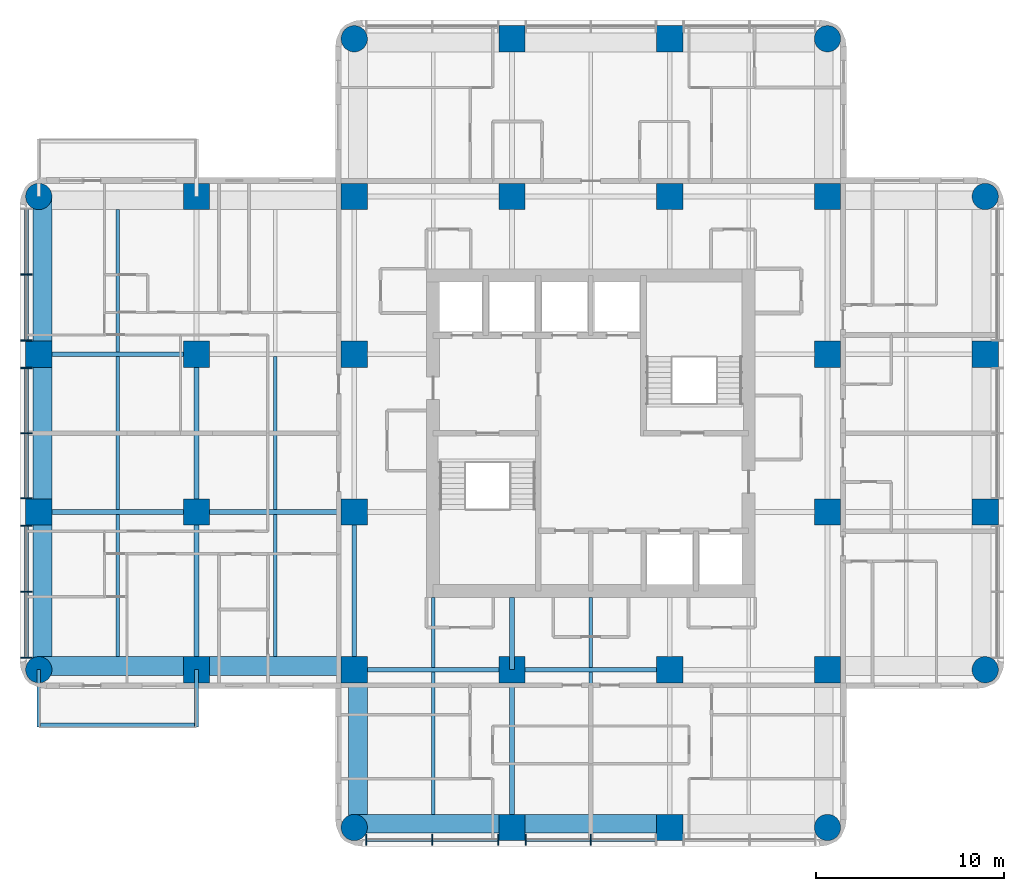
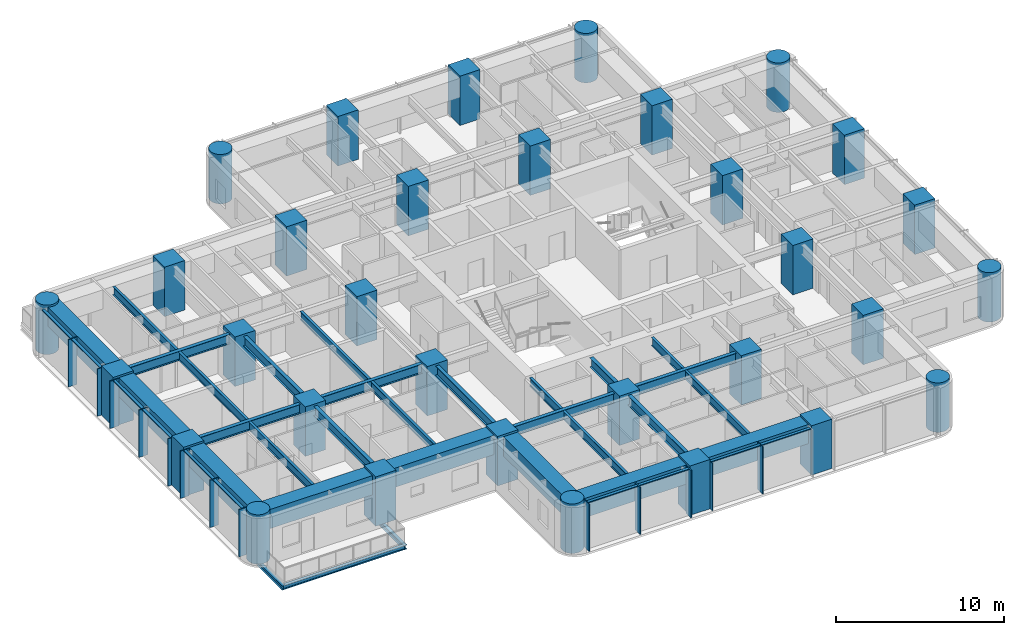
# One storey, part 1 of 11: 32 columns, 30 beams, 23 members, 2 elements without a shape of their own.
"""IFC4 building model written with IfcOpenShell, lengths in metres."""

from ifc_helpers import new_model, si_unit, direction, frame, origin, origin_2d, place, context, subcontext, project, spatial, rectangle, circle, i_section, extrude, material, material_profile, profile_set, type_object, element, aggregate, save


model = new_model("IFC4")

# Units and contexts
model_context = context("Model", 3, precision=1e-05, world=origin(), true_north=direction((0.0, 1.0)))
body_context = subcontext(model_context, "Body", "Model", "MODEL_VIEW")
ifc_project = project(units=[si_unit("LENGTHUNIT", "METRE"), si_unit("AREAUNIT", "SQUARE_METRE"), si_unit("VOLUMEUNIT", "CUBIC_METRE"), si_unit("PLANEANGLEUNIT", "RADIAN"), si_unit("MASSUNIT", "GRAM", prefix="KILO")], contexts=[model_context])

# Site, building, storey
site_placement = place(None, origin())
site = spatial("IfcSite", under=ifc_project, at=site_placement, CompositionType="ELEMENT")
building_placement = place(site_placement, origin())
building = spatial("IfcBuilding", under=site, at=building_placement, Name="Torre Alcanfor", CompositionType="ELEMENT")
storey_placement = place(building_placement, frame((0.0, 0.0, 230.10009765625)))
storey = spatial("IfcBuildingStorey", under=building, at=storey_placement, Name="L60", CompositionType="ELEMENT", Elevation=230.10009765625)

# Columns
ifc_material_1 = material(Name="Concrete f'c 70 MPa", Category="concrete")
ifc_material_profile_1 = material_profile(ifc_material_1, rectangle(XDim=1.39990234375, YDim=1.39990234375, at=origin_2d()), Name="1400x1400")
ifc_profile_set_1 = profile_set([ifc_material_profile_1], Name="Concrete f'c 70 MPa")
column_type_1 = type_object("IfcColumnType", Name="RC column 1400x1400 f'c70", PredefinedType="COLUMN", material=ifc_profile_set_1)
for number, where, z_axis, x_axis, name in (
    (1, (0.0, 25.199951171875, 0.0), (0.0, 0.0, 1.0), (1.0, 0.0, 0.0), "Column 1/F L60"),
    (2, (0.0, 33.60009765625, 0.0), (0.0, 0.0, 1.0), (1.0, 0.0, 0.0), "Column 1/G L60"),
    (3, (8.39990234375, 16.800048828125, 0.0), (0.0, 0.0, 1.0), (1.0, 0.0, 0.0), "Column 2/E L60"),
    (4, (8.39990234375, 25.199951171875, 0.0), (0.0, 0.0, 1.0), (1.0, 0.0, 0.0), "Column 2/F L60"),
    (5, (8.39990234375, 33.60009765625, 0.0), (0.0, 0.0, 1.0), (1.0, 0.0, 0.0), "Column 2/G L60"),
    (6, (8.39990234375, 42.0, 0.0), (0.0, 0.0, 1.0), (1.0, 0.0, 0.0), "Column 2/H L60"),
    (7, (16.800048828125, 16.800048828125, 0.0), (0.0, 0.0, 1.0), (1.0, 0.0, 0.0), "Column 3/E L60"),
    (8, (16.800048828125, 25.199951171875, 0.0), (0.0, 0.0, 1.0), (1.0, 0.0, 0.0), "Column 3/F L60"),
    (9, (16.800048828125, 33.60009765625, 0.0), (0.0, 0.0, 1.0), (1.0, 0.0, 0.0), "Column 3/G L60"),
    (10, (16.800048828125, 42.0, 0.0), (0.0, 0.0, 1.0), (1.0, 0.0, 0.0), "Column 3/H L60"),
    (11, (25.199951171875, 8.39990234375, 0.0), (0.0, 0.0, 1.0), (1.0, 0.0, 0.0), "Column 4/D L60"),
    (12, (25.199951171875, 16.800048828125, 0.0), (0.0, 0.0, 1.0), (1.0, 0.0, 0.0), "Column 4/E L60"),
    (13, (25.199951171875, 42.0, 0.0), (0.0, 0.0, 1.0), (1.0, 0.0, 0.0), "Column 4/H L60"),
    (14, (25.199951171875, 50.39990234375, 0.0), (0.0, 0.0, 1.0), (1.0, 0.0, 0.0), "Column 4/J L60"),
    (15, (33.60009765625, 8.39990234375, 0.0), (0.0, 0.0, 1.0), (1.0, 0.0, 0.0), "Column 5/D L60"),
    (16, (33.60009765625, 16.800048828125, 0.0), (0.0, 0.0, 1.0), (1.0, 0.0, 0.0), "Column 5/E L60"),
    (17, (33.60009765625, 42.0, 0.0), (0.0, 0.0, 1.0), (1.0, 0.0, 0.0), "Column 5/H L60"),
    (18, (33.60009765625, 50.39990234375, 0.0), (0.0, 0.0, 1.0), (1.0, 0.0, 0.0), "Column 5/J L60"),
    (19, (42.0, 16.800048828125, 0.0), (0.0, 0.0, 1.0), (1.0, 0.0, 0.0), "Column 6/E L60"),
    (20, (42.0, 25.199951171875, 0.0), (0.0, 0.0, 1.0), (1.0, 0.0, 0.0), "Column 6/F L60"),
    (21, (42.0, 33.60009765625, 0.0), (0.0, 0.0, 1.0), (1.0, 0.0, 0.0), "Column 6/G L60"),
    (22, (42.0, 42.0, 0.0), (0.0, 0.0, 1.0), (1.0, 0.0, 0.0), "Column 6/H L60"),
    (23, (50.39990234375, 25.199951171875, 0.0), (0.0, 0.0, 1.0), (1.0, 0.0, 0.0), "Column 7/F L60"),
    (24, (50.39990234375, 33.60009765625, 0.0), (0.0, 0.0, 1.0), (1.0, 0.0, 0.0), "Column 7/G L60"),
):
    element("IfcColumn", number, at=place(storey_placement, frame(where, z_axis=z_axis, x_axis=x_axis)), inside=storey, type_object=column_type_1, Name=name, PredefinedType="COLUMN", context=body_context, shape_type="SweptSolid", body=[
        extrude(rectangle(XDim=1.39990234375, YDim=1.39990234375, at=origin_2d()), origin(), (0.0, 0.0, 1.0), 3.599853515625),
    ])
ifc_material_2 = material(Name="Concrete f'c 70 MPa", Category="concrete")
ifc_material_profile_2 = material_profile(ifc_material_2, circle(Radius=0.699951171875, at=origin_2d()), Name="D1400")
ifc_profile_set_2 = profile_set([ifc_material_profile_2], Name="Concrete f'c 70 MPa")
column_type_2 = type_object("IfcColumnType", Name="RC column D1400 f'c70", PredefinedType="COLUMN", material=ifc_profile_set_2)
for number, where, z_axis, x_axis, name in (
    (25, (0.0, 16.800048828125, 0.0), (0.0, 0.0, 1.0), (1.0, 0.0, 0.0), "Column 1/E L60"),
    (26, (0.0, 42.0, 0.0), (0.0, 0.0, 1.0), (1.0, 0.0, 0.0), "Column 1/H L60"),
    (27, (16.800048828125, 8.39990234375, 0.0), (0.0, 0.0, 1.0), (1.0, 0.0, 0.0), "Column 3/D L60"),
    (28, (16.800048828125, 50.39990234375, 0.0), (0.0, 0.0, 1.0), (1.0, 0.0, 0.0), "Column 3/J L60"),
    (29, (42.0, 8.39990234375, 0.0), (0.0, 0.0, 1.0), (1.0, 0.0, 0.0), "Column 6/D L60"),
    (30, (42.0, 50.39990234375, 0.0), (0.0, 0.0, 1.0), (1.0, 0.0, 0.0), "Column 6/J L60"),
    (31, (50.39990234375, 16.800048828125, 0.0), (0.0, 0.0, 1.0), (1.0, 0.0, 0.0), "Column 7/E L60"),
    (32, (50.39990234375, 42.0, 0.0), (0.0, 0.0, 1.0), (1.0, 0.0, 0.0), "Column 7/H L60"),
):
    element("IfcColumn", number, at=place(storey_placement, frame(where, z_axis=z_axis, x_axis=x_axis)), inside=storey, type_object=column_type_2, Name=name, PredefinedType="COLUMN", context=body_context, shape_type="SweptSolid", body=[
        extrude(circle(Radius=0.699951171875, at=origin_2d()), origin(), (0.0, 0.0, 1.0), 3.599853515625),
    ])

# Beams
ifc_material_3 = material(Name="Steel ASTM A992 Grade 50", Category="steel")
ifc_material_profile_3 = material_profile(ifc_material_3, i_section(OverallWidth=0.205322265625, OverallDepth=0.309814453125, WebThickness=0.00927734375, FlangeThickness=0.016357421875, at=origin_2d()), Name="W12x50")
ifc_profile_set_3 = profile_set([ifc_material_profile_3], Name="Steel ASTM A992 Grade 50")
beam_type_1 = type_object("IfcBeamType", Name="Balcony cantilever beam W12x50", PredefinedType="BEAM", material=ifc_profile_set_3)
for number, where, z_axis, x_axis, name in (
    (33, (8.39990234375, 16.800048828125, -0.35498046875), (0.0, -1.0, 0.0), (1.0, 0.0, 0.0), "Balcony cantilever beam L60-W1 1"),
    (34, (0.0, 16.800048828125, -0.35498046875), (0.0, -1.0, 0.0), (1.0, 0.0, 0.0), "Balcony cantilever beam L60-W1 2"),
):
    element("IfcBeam", number, at=place(storey_placement, frame(where, z_axis=z_axis, x_axis=x_axis)), inside=storey, type_object=beam_type_1, Name=name, PredefinedType="BEAM", context=body_context, shape_type="SweptSolid", body=[
        extrude(i_section(OverallWidth=0.205322265625, OverallDepth=0.309814453125, WebThickness=0.00927734375, FlangeThickness=0.016357421875, at=origin_2d()), origin(), (0.0, 0.0, 1.0), 3.050048828125),
    ])
ifc_material_4 = material(Name="Steel ASTM A992 Grade 50", Category="steel")
ifc_material_profile_4 = material_profile(ifc_material_4, i_section(OverallWidth=0.203369140625, OverallDepth=0.30224609375, WebThickness=0.007568359375, FlangeThickness=0.01318359375, at=origin_2d()), Name="W12x40")
ifc_profile_set_4 = profile_set([ifc_material_profile_4], Name="Steel ASTM A992 Grade 50")
beam_type_2 = type_object("IfcBeamType", Name="Balcony edge trimmer W12x40", PredefinedType="BEAM", material=ifc_profile_set_4)
beam_1_placement = place(storey_placement, frame((8.39990234375, 13.851806640625, -0.351318359375), z_axis=(-1.0, 0.0, 0.0), x_axis=(0.0, -1.0, 0.0)))
element("IfcBeam", 35, at=beam_1_placement, inside=storey, type_object=beam_type_2, Name="Balcony edge trimmer L60-W1", PredefinedType="BEAM", context=body_context, shape_type="SweptSolid", body=[
    extrude(i_section(OverallWidth=0.203369140625, OverallDepth=0.30224609375, WebThickness=0.007568359375, FlangeThickness=0.01318359375, at=origin_2d()), origin(), (0.0, 0.0, 1.0), 8.39990234375),
])

# Curtain wall, members
ifc_material_5 = material(Name="Aluminium and glass", Category="aluminium")
curtain_wall_type = type_object("IfcCurtainWallType", Name="CW-A unitised apartment glazing with vertical FIN", PredefinedType="NOTDEFINED", material=ifc_material_5)
curtain_wall_1_placement = place(storey_placement, origin())
curtain_wall_1 = element("IfcCurtainWall", 36, at=curtain_wall_1_placement, inside=storey, type_object=curtain_wall_type, Name="Curtain wall CW-A L60 2", PredefinedType="NOTDEFINED")
ifc_material_6 = material(Name="Bronze anodised aluminium", Category="aluminium")
ifc_material_profile_5 = material_profile(ifc_material_6, rectangle(XDim=0.60009765625, YDim=0.06494140625, at=origin_2d()), Name="CW-A mullion 65x600")
ifc_profile_set_5 = profile_set([ifc_material_profile_5], Name="Bronze anodised aluminium")
member_type_1 = type_object("IfcMemberType", Name="CW-A mullion with vertical FIN 65x600", PredefinedType="MULLION", material=ifc_profile_set_5)
member_1_placement = place(storey_placement, frame((-0.64990234375, 37.846435546875, 0.0), z_axis=(0.0, 0.0, 1.0), x_axis=(1.0, 0.0, 0.0)))
member_1 = element("IfcMember", 37, at=member_1_placement, type_object=member_type_1, Name="CW-A mullion 1.2", PredefinedType="MULLION", context=body_context, shape_type="SweptSolid", body=[
    extrude(rectangle(XDim=0.60009765625, YDim=0.06494140625, at=origin_2d()), origin(), (0.0, 0.0, 1.0), 3.449951171875),
])
member_2_placement = place(storey_placement, frame((-0.64990234375, 34.33740234375, 0.0), z_axis=(0.0, 0.0, 1.0), x_axis=(1.0, 0.0, 0.0)))
member_2 = element("IfcMember", 38, at=member_2_placement, type_object=member_type_1, Name="CW-A mullion 1.3", PredefinedType="MULLION", context=body_context, shape_type="SweptSolid", body=[
    extrude(rectangle(XDim=0.60009765625, YDim=0.06494140625, at=origin_2d()), origin(), (0.0, 0.0, 1.0), 3.449951171875),
])
member_3_placement = place(storey_placement, frame((-0.64990234375, 32.862548828125, 0.0), z_axis=(0.0, 0.0, 1.0), x_axis=(1.0, 0.0, 0.0)))
member_3 = element("IfcMember", 39, at=member_3_placement, type_object=member_type_1, Name="CW-A mullion 2.1", PredefinedType="MULLION", context=body_context, shape_type="SweptSolid", body=[
    extrude(rectangle(XDim=0.60009765625, YDim=0.06494140625, at=origin_2d()), origin(), (0.0, 0.0, 1.0), 3.449951171875),
])
member_4_placement = place(storey_placement, frame((-0.64990234375, 29.39990234375, 0.0), z_axis=(0.0, 0.0, 1.0), x_axis=(1.0, 0.0, 0.0)))
member_4 = element("IfcMember", 40, at=member_4_placement, type_object=member_type_1, Name="CW-A mullion 2.2", PredefinedType="MULLION", context=body_context, shape_type="SweptSolid", body=[
    extrude(rectangle(XDim=0.60009765625, YDim=0.06494140625, at=origin_2d()), origin(), (0.0, 0.0, 1.0), 3.449951171875),
])
member_5_placement = place(storey_placement, frame((-0.64990234375, 25.9375, 0.0), z_axis=(0.0, 0.0, 1.0), x_axis=(1.0, 0.0, 0.0)))
member_5 = element("IfcMember", 41, at=member_5_placement, type_object=member_type_1, Name="CW-A mullion 2.3", PredefinedType="MULLION", context=body_context, shape_type="SweptSolid", body=[
    extrude(rectangle(XDim=0.60009765625, YDim=0.06494140625, at=origin_2d()), origin(), (0.0, 0.0, 1.0), 3.449951171875),
])
member_6_placement = place(storey_placement, frame((-0.64990234375, 24.46240234375, 0.0), z_axis=(0.0, 0.0, 1.0), x_axis=(1.0, 0.0, 0.0)))
member_6 = element("IfcMember", 42, at=member_6_placement, type_object=member_type_1, Name="CW-A mullion 3.1", PredefinedType="MULLION", context=body_context, shape_type="SweptSolid", body=[
    extrude(rectangle(XDim=0.60009765625, YDim=0.06494140625, at=origin_2d()), origin(), (0.0, 0.0, 1.0), 3.449951171875),
])
member_7_placement = place(storey_placement, frame((-0.64990234375, 20.95361328125, 0.0), z_axis=(0.0, 0.0, 1.0), x_axis=(1.0, 0.0, 0.0)))
member_7 = element("IfcMember", 43, at=member_7_placement, type_object=member_type_1, Name="CW-A mullion 3.2", PredefinedType="MULLION", context=body_context, shape_type="SweptSolid", body=[
    extrude(rectangle(XDim=0.60009765625, YDim=0.06494140625, at=origin_2d()), origin(), (0.0, 0.0, 1.0), 3.449951171875),
])
member_8_placement = place(storey_placement, frame((-0.64990234375, 17.444580078125, 0.0), z_axis=(0.0, 0.0, 1.0), x_axis=(1.0, 0.0, 0.0)))
member_8 = element("IfcMember", 44, at=member_8_placement, type_object=member_type_1, Name="CW-A mullion 3.3", PredefinedType="MULLION", context=body_context, shape_type="SweptSolid", body=[
    extrude(rectangle(XDim=0.60009765625, YDim=0.06494140625, at=origin_2d()), origin(), (0.0, 0.0, 1.0), 3.449951171875),
])

curtain_wall_2_placement = place(storey_placement, origin())
curtain_wall_2 = element("IfcCurtainWall", 45, at=curtain_wall_2_placement, inside=storey, type_object=curtain_wall_type, Name="Curtain wall CW-A L60 5", PredefinedType="NOTDEFINED")
member_9_placement = place(storey_placement, frame((17.444580078125, 7.75, 0.0), z_axis=(0.0, 0.0, 1.0), x_axis=(0.0, 1.0, 0.0)))
member_9 = element("IfcMember", 46, at=member_9_placement, type_object=member_type_1, Name="CW-A mullion 1.1", PredefinedType="MULLION", context=body_context, shape_type="SweptSolid", body=[
    extrude(rectangle(XDim=0.60009765625, YDim=0.06494140625, at=origin_2d()), origin(), (0.0, 0.0, 1.0), 3.449951171875),
])
member_10_placement = place(storey_placement, frame((20.95361328125, 7.75, 0.0), z_axis=(0.0, 0.0, 1.0), x_axis=(0.0, 1.0, 0.0)))
member_10 = element("IfcMember", 47, at=member_10_placement, type_object=member_type_1, Name="CW-A mullion 1.2", PredefinedType="MULLION", context=body_context, shape_type="SweptSolid", body=[
    extrude(rectangle(XDim=0.60009765625, YDim=0.06494140625, at=origin_2d()), origin(), (0.0, 0.0, 1.0), 3.449951171875),
])
member_11_placement = place(storey_placement, frame((24.46240234375, 7.75, 0.0), z_axis=(0.0, 0.0, 1.0), x_axis=(0.0, 1.0, 0.0)))
member_11 = element("IfcMember", 48, at=member_11_placement, type_object=member_type_1, Name="CW-A mullion 1.3", PredefinedType="MULLION", context=body_context, shape_type="SweptSolid", body=[
    extrude(rectangle(XDim=0.60009765625, YDim=0.06494140625, at=origin_2d()), origin(), (0.0, 0.0, 1.0), 3.449951171875),
])
member_12_placement = place(storey_placement, frame((25.9375, 7.75, 0.0), z_axis=(0.0, 0.0, 1.0), x_axis=(0.0, 1.0, 0.0)))
member_12 = element("IfcMember", 49, at=member_12_placement, type_object=member_type_1, Name="CW-A mullion 2.1", PredefinedType="MULLION", context=body_context, shape_type="SweptSolid", body=[
    extrude(rectangle(XDim=0.60009765625, YDim=0.06494140625, at=origin_2d()), origin(), (0.0, 0.0, 1.0), 3.449951171875),
])
member_13_placement = place(storey_placement, frame((29.39990234375, 7.75, 0.0), z_axis=(0.0, 0.0, 1.0), x_axis=(0.0, 1.0, 0.0)))
member_13 = element("IfcMember", 50, at=member_13_placement, type_object=member_type_1, Name="CW-A mullion 2.2", PredefinedType="MULLION", context=body_context, shape_type="SweptSolid", body=[
    extrude(rectangle(XDim=0.60009765625, YDim=0.06494140625, at=origin_2d()), origin(), (0.0, 0.0, 1.0), 3.449951171875),
])

# Member
ifc_material_7 = material(Name="Extruded aluminium", Category="aluminium")
ifc_material_profile_6 = material_profile(ifc_material_7, rectangle(XDim=0.199951171875, YDim=0.06494140625, at=origin_2d()), Name="CW-A transom 200x65")
ifc_profile_set_6 = profile_set([ifc_material_profile_6], Name="Extruded aluminium")
member_type_2 = type_object("IfcMemberType", Name="CW-A transom 65x200", PredefinedType="USERDEFINED", material=ifc_profile_set_6)
member_14_placement = place(storey_placement, frame((-0.64990234375, 41.322998046875, 3.41748046875), z_axis=(0.0, -1.0, 0.0), x_axis=(1.0, 0.0, 0.0)))
member_14 = element("IfcMember", 51, at=member_14_placement, type_object=member_type_2, Name="CW-A transom 1.1.2", ObjectType="TRANSOM", PredefinedType="USERDEFINED", context=body_context, shape_type="SweptSolid", body=[
    extrude(rectangle(XDim=0.199951171875, YDim=0.06494140625, at=origin_2d()), origin(), (0.0, 0.0, 1.0), 3.444091796875),
])

member_15_placement = place(storey_placement, frame((-0.64990234375, 37.81396484375, 3.41748046875), z_axis=(0.0, -1.0, 0.0), x_axis=(1.0, 0.0, 0.0)))
member_15 = element("IfcMember", 52, at=member_15_placement, type_object=member_type_2, Name="CW-A transom 1.2.2", ObjectType="TRANSOM", PredefinedType="USERDEFINED", context=body_context, shape_type="SweptSolid", body=[
    extrude(rectangle(XDim=0.199951171875, YDim=0.06494140625, at=origin_2d()), origin(), (0.0, 0.0, 1.0), 3.44384765625),
])

member_16_placement = place(storey_placement, frame((-0.64990234375, 32.830078125, 3.41748046875), z_axis=(0.0, -1.0, 0.0), x_axis=(1.0, 0.0, 0.0)))
member_16 = element("IfcMember", 53, at=member_16_placement, type_object=member_type_2, Name="CW-A transom 2.1.2", ObjectType="TRANSOM", PredefinedType="USERDEFINED", context=body_context, shape_type="SweptSolid", body=[
    extrude(rectangle(XDim=0.199951171875, YDim=0.06494140625, at=origin_2d()), origin(), (0.0, 0.0, 1.0), 3.3974609375),
])

member_17_placement = place(storey_placement, frame((-0.64990234375, 29.367431640625, 3.41748046875), z_axis=(0.0, -1.0, 0.0), x_axis=(1.0, 0.0, 0.0)))
member_17 = element("IfcMember", 54, at=member_17_placement, type_object=member_type_2, Name="CW-A transom 2.2.2", ObjectType="TRANSOM", PredefinedType="USERDEFINED", context=body_context, shape_type="SweptSolid", body=[
    extrude(rectangle(XDim=0.199951171875, YDim=0.06494140625, at=origin_2d()), origin(), (0.0, 0.0, 1.0), 3.3974609375),
])

member_18_placement = place(storey_placement, frame((-0.64990234375, 24.429931640625, 3.41748046875), z_axis=(0.0, -1.0, 0.0), x_axis=(1.0, 0.0, 0.0)))
member_18 = element("IfcMember", 55, at=member_18_placement, type_object=member_type_2, Name="CW-A transom 3.1.2", ObjectType="TRANSOM", PredefinedType="USERDEFINED", context=body_context, shape_type="SweptSolid", body=[
    extrude(rectangle(XDim=0.199951171875, YDim=0.06494140625, at=origin_2d()), origin(), (0.0, 0.0, 1.0), 3.44384765625),
])

member_19_placement = place(storey_placement, frame((-0.64990234375, 20.9208984375, 3.41748046875), z_axis=(0.0, -1.0, 0.0), x_axis=(1.0, 0.0, 0.0)))
member_19 = element("IfcMember", 56, at=member_19_placement, type_object=member_type_2, Name="CW-A transom 3.2.2", ObjectType="TRANSOM", PredefinedType="USERDEFINED", context=body_context, shape_type="SweptSolid", body=[
    extrude(rectangle(XDim=0.199951171875, YDim=0.06494140625, at=origin_2d()), origin(), (0.0, 0.0, 1.0), 3.44384765625),
])

aggregate(curtain_wall_1, [member_1, member_2, member_14, member_15, member_3, member_4, member_5, member_16, member_17, member_6, member_7, member_8, member_18, member_19])

member_20_placement = place(storey_placement, frame((17.47705078125, 7.75, 3.41748046875), z_axis=(1.0, 0.0, 0.0), x_axis=(0.0, 1.0, 0.0)))
member_20 = element("IfcMember", 57, at=member_20_placement, type_object=member_type_2, Name="CW-A transom 1.1.2", ObjectType="TRANSOM", PredefinedType="USERDEFINED", context=body_context, shape_type="SweptSolid", body=[
    extrude(rectangle(XDim=0.199951171875, YDim=0.06494140625, at=origin_2d()), origin(), (0.0, 0.0, 1.0), 3.44384765625),
])

member_21_placement = place(storey_placement, frame((20.986083984375, 7.75, 3.41748046875), z_axis=(1.0, 0.0, 0.0), x_axis=(0.0, 1.0, 0.0)))
member_21 = element("IfcMember", 58, at=member_21_placement, type_object=member_type_2, Name="CW-A transom 1.2.2", ObjectType="TRANSOM", PredefinedType="USERDEFINED", context=body_context, shape_type="SweptSolid", body=[
    extrude(rectangle(XDim=0.199951171875, YDim=0.06494140625, at=origin_2d()), origin(), (0.0, 0.0, 1.0), 3.44384765625),
])

member_22_placement = place(storey_placement, frame((25.969970703125, 7.75, 3.41748046875), z_axis=(1.0, 0.0, 0.0), x_axis=(0.0, 1.0, 0.0)))
member_22 = element("IfcMember", 59, at=member_22_placement, type_object=member_type_2, Name="CW-A transom 2.1.2", ObjectType="TRANSOM", PredefinedType="USERDEFINED", context=body_context, shape_type="SweptSolid", body=[
    extrude(rectangle(XDim=0.199951171875, YDim=0.06494140625, at=origin_2d()), origin(), (0.0, 0.0, 1.0), 3.3974609375),
])

member_23_placement = place(storey_placement, frame((29.4326171875, 7.75, 3.41748046875), z_axis=(1.0, 0.0, 0.0), x_axis=(0.0, 1.0, 0.0)))
member_23 = element("IfcMember", 60, at=member_23_placement, type_object=member_type_2, Name="CW-A transom 2.2.2", ObjectType="TRANSOM", PredefinedType="USERDEFINED", context=body_context, shape_type="SweptSolid", body=[
    extrude(rectangle(XDim=0.199951171875, YDim=0.06494140625, at=origin_2d()), origin(), (0.0, 0.0, 1.0), 3.3974609375),
])

aggregate(curtain_wall_2, [member_9, member_10, member_11, member_20, member_21, member_12, member_13, member_22, member_23])

# Beams
ifc_material_8 = material(Name="Steel ASTM A992 Grade 50", Category="steel")
ifc_material_profile_7 = material_profile(ifc_material_8, i_section(OverallWidth=0.25390625, OverallDepth=0.683349609375, WebThickness=0.012451171875, FlangeThickness=0.01904296875, at=origin_2d()), Name="W27x94")
ifc_profile_set_7 = profile_set([ifc_material_profile_7], Name="Steel ASTM A992 Grade 50")
beam_type_3 = type_object("IfcBeamType", Name="Girder W27x94", PredefinedType="BEAM", material=ifc_profile_set_7)
beam_2_placement = place(storey_placement, frame((16.800048828125, 16.800048828125, 3.108154296875), z_axis=(1.0, 0.0, 0.0), x_axis=(0.0, 1.0, 0.0)))
element("IfcBeam", 61, at=beam_2_placement, inside=storey, type_object=beam_type_3, Name="Beam 3E-4E under L61", PredefinedType="BEAM", context=body_context, shape_type="SweptSolid", body=[
    extrude(i_section(OverallWidth=0.25390625, OverallDepth=0.683349609375, WebThickness=0.012451171875, FlangeThickness=0.01904296875, at=origin_2d()), origin(), (0.0, 0.0, 1.0), 8.39990234375),
])
beam_3_placement = place(storey_placement, frame((25.199951171875, 16.800048828125, 3.108154296875), z_axis=(1.0, 0.0, 0.0), x_axis=(0.0, 1.0, 0.0)))
element("IfcBeam", 62, at=beam_3_placement, inside=storey, type_object=beam_type_3, Name="Beam 4E-5E under L61", PredefinedType="BEAM", context=body_context, shape_type="SweptSolid", body=[
    extrude(i_section(OverallWidth=0.25390625, OverallDepth=0.683349609375, WebThickness=0.012451171875, FlangeThickness=0.01904296875, at=origin_2d()), origin(), (0.0, 0.0, 1.0), 8.400146484375),
])
beam_4_placement = place(storey_placement, frame((0.0, 25.199951171875, 3.108154296875), z_axis=(1.0, 0.0, 0.0), x_axis=(0.0, 1.0, 0.0)))
element("IfcBeam", 63, at=beam_4_placement, inside=storey, type_object=beam_type_3, Name="Beam 1F-2F under L61", PredefinedType="BEAM", context=body_context, shape_type="SweptSolid", body=[
    extrude(i_section(OverallWidth=0.25390625, OverallDepth=0.683349609375, WebThickness=0.012451171875, FlangeThickness=0.01904296875, at=origin_2d()), origin(), (0.0, 0.0, 1.0), 8.39990234375),
])
beam_5_placement = place(storey_placement, frame((8.39990234375, 25.199951171875, 3.108154296875), z_axis=(1.0, 0.0, 0.0), x_axis=(0.0, 1.0, 0.0)))
element("IfcBeam", 64, at=beam_5_placement, inside=storey, type_object=beam_type_3, Name="Beam 2F-3F under L61", PredefinedType="BEAM", context=body_context, shape_type="SweptSolid", body=[
    extrude(i_section(OverallWidth=0.25390625, OverallDepth=0.683349609375, WebThickness=0.012451171875, FlangeThickness=0.01904296875, at=origin_2d()), origin(), (0.0, 0.0, 1.0), 8.400146484375),
])
for number, where, z_axis, x_axis, name in (
    (65, (0.0, 33.60009765625, 3.108154296875), (1.0, 0.0, 0.0), (0.0, 1.0, 0.0), "Beam 1G-2G under L61"),
    (66, (8.39990234375, 16.800048828125, 3.108154296875), (0.0, 1.0, 0.0), (-1.0, 0.0, 0.0), "Beam 2E-2F under L61"),
):
    element("IfcBeam", number, at=place(storey_placement, frame(where, z_axis=z_axis, x_axis=x_axis)), inside=storey, type_object=beam_type_3, Name=name, PredefinedType="BEAM", context=body_context, shape_type="SweptSolid", body=[
        extrude(i_section(OverallWidth=0.25390625, OverallDepth=0.683349609375, WebThickness=0.012451171875, FlangeThickness=0.01904296875, at=origin_2d()), origin(), (0.0, 0.0, 1.0), 8.39990234375),
    ])
beam_6_placement = place(storey_placement, frame((8.39990234375, 25.199951171875, 3.108154296875), z_axis=(0.0, 1.0, 0.0), x_axis=(-1.0, 0.0, 0.0)))
element("IfcBeam", 67, at=beam_6_placement, inside=storey, type_object=beam_type_3, Name="Beam 2F-2G under L61", PredefinedType="BEAM", context=body_context, shape_type="SweptSolid", body=[
    extrude(i_section(OverallWidth=0.25390625, OverallDepth=0.683349609375, WebThickness=0.012451171875, FlangeThickness=0.01904296875, at=origin_2d()), origin(), (0.0, 0.0, 1.0), 8.400146484375),
])
beam_7_placement = place(storey_placement, frame((16.800048828125, 16.800048828125, 3.108154296875), z_axis=(0.0, 1.0, 0.0), x_axis=(-1.0, 0.0, 0.0)))
element("IfcBeam", 68, at=beam_7_placement, inside=storey, type_object=beam_type_3, Name="Beam 3E-3F under L61", PredefinedType="BEAM", context=body_context, shape_type="SweptSolid", body=[
    extrude(i_section(OverallWidth=0.25390625, OverallDepth=0.683349609375, WebThickness=0.012451171875, FlangeThickness=0.01904296875, at=origin_2d()), origin(), (0.0, 0.0, 1.0), 8.39990234375),
])
beam_8_placement = place(storey_placement, frame((25.199951171875, 8.39990234375, 3.108154296875), z_axis=(0.0, 1.0, 0.0), x_axis=(-1.0, 0.0, 0.0)))
element("IfcBeam", 69, at=beam_8_placement, inside=storey, type_object=beam_type_3, Name="Beam 4D-4E under L61", PredefinedType="BEAM", context=body_context, shape_type="SweptSolid", body=[
    extrude(i_section(OverallWidth=0.25390625, OverallDepth=0.683349609375, WebThickness=0.012451171875, FlangeThickness=0.01904296875, at=origin_2d()), origin(), (0.0, 0.0, 1.0), 8.400146484375),
])
ifc_material_9 = material(Name="Steel ASTM A992 Grade 50", Category="steel")
ifc_material_profile_8 = material_profile(ifc_material_9, i_section(OverallWidth=0.25390625, OverallDepth=0.683349609375, WebThickness=0.012451171875, FlangeThickness=0.01904296875, at=origin_2d()), Name="W27x94")
ifc_profile_set_8 = profile_set([ifc_material_profile_8], Name="Steel ASTM A992 Grade 50")
beam_type_4 = type_object("IfcBeamType", Name="Girder, part bay W27x94", PredefinedType="BEAM", material=ifc_profile_set_8)
beam_9_placement = place(storey_placement, frame((25.199951171875, 16.800048828125, 3.108154296875), z_axis=(0.0, 1.0, 0.0), x_axis=(-1.0, 0.0, 0.0)))
element("IfcBeam", 70, at=beam_9_placement, inside=storey, type_object=beam_type_4, Name="Beam 4E-420_65 under L61", PredefinedType="BEAM", context=body_context, shape_type="SweptSolid", body=[
    extrude(i_section(OverallWidth=0.25390625, OverallDepth=0.683349609375, WebThickness=0.012451171875, FlangeThickness=0.01904296875, at=origin_2d()), origin(), (0.0, 0.0, 1.0), 3.849853515625),
])
ifc_material_10 = material(Name="Concrete f'c 70 MPa", Category="concrete")
ifc_material_profile_9 = material_profile(ifc_material_10, rectangle(XDim=1.0, YDim=1.39990234375, at=origin_2d()), Name="1000x1400")
ifc_profile_set_9 = profile_set([ifc_material_profile_9], Name="Concrete f'c 70 MPa")
beam_type_5 = type_object("IfcBeamType", Name="RC perimeter beam 1000x1400", PredefinedType="BEAM", material=ifc_profile_set_9)
beam_10_placement = place(storey_placement, frame((16.800048828125, 8.60009765625, 2.75), z_axis=(1.0, 0.0, 0.0), x_axis=(0.0, 1.0, 0.0)))
element("IfcBeam", 71, at=beam_10_placement, inside=storey, type_object=beam_type_5, Name="Beam 3D-4D under L61", PredefinedType="BEAM", context=body_context, shape_type="SweptSolid", body=[
    extrude(rectangle(XDim=1.0, YDim=1.39990234375, at=origin_2d()), origin(), (0.0, 0.0, 1.0), 8.27294921875),
])
beam_11_placement = place(storey_placement, frame((25.326904296875, 8.60009765625, 2.75), z_axis=(1.0, 0.0, 0.0), x_axis=(0.0, 1.0, 0.0)))
element("IfcBeam", 72, at=beam_11_placement, inside=storey, type_object=beam_type_5, Name="Beam 4D-5D under L61", PredefinedType="BEAM", context=body_context, shape_type="SweptSolid", body=[
    extrude(rectangle(XDim=1.0, YDim=1.39990234375, at=origin_2d()), origin(), (0.0, 0.0, 1.0), 8.14599609375),
])
beam_12_placement = place(storey_placement, frame((0.0, 17.0, 2.75), z_axis=(1.0, 0.0, 0.0), x_axis=(0.0, 1.0, 0.0)))
element("IfcBeam", 73, at=beam_12_placement, inside=storey, type_object=beam_type_5, Name="Beam 1E-2E under L61", PredefinedType="BEAM", context=body_context, shape_type="SweptSolid", body=[
    extrude(rectangle(XDim=1.0, YDim=1.39990234375, at=origin_2d()), origin(), (0.0, 0.0, 1.0), 8.27294921875),
])
beam_13_placement = place(storey_placement, frame((8.527099609375, 17.0, 2.75), z_axis=(1.0, 0.0, 0.0), x_axis=(0.0, 1.0, 0.0)))
element("IfcBeam", 74, at=beam_13_placement, inside=storey, type_object=beam_type_5, Name="Beam 2E-3E under L61", PredefinedType="BEAM", context=body_context, shape_type="SweptSolid", body=[
    extrude(rectangle(XDim=1.0, YDim=1.39990234375, at=origin_2d()), origin(), (0.0, 0.0, 1.0), 8.14599609375),
])
beam_14_placement = place(storey_placement, frame((0.199951171875, 16.800048828125, 2.75), z_axis=(0.0, 1.0, 0.0), x_axis=(-1.0, 0.0, 0.0)))
element("IfcBeam", 75, at=beam_14_placement, inside=storey, type_object=beam_type_5, Name="Beam 1E-1F under L61", PredefinedType="BEAM", context=body_context, shape_type="SweptSolid", body=[
    extrude(rectangle(XDim=1.0, YDim=1.39990234375, at=origin_2d()), origin(), (0.0, 0.0, 1.0), 8.27294921875),
])
beam_15_placement = place(storey_placement, frame((0.199951171875, 25.326904296875, 2.75), z_axis=(0.0, 1.0, 0.0), x_axis=(-1.0, 0.0, 0.0)))
element("IfcBeam", 76, at=beam_15_placement, inside=storey, type_object=beam_type_5, Name="Beam 1F-1G under L61", PredefinedType="BEAM", context=body_context, shape_type="SweptSolid", body=[
    extrude(rectangle(XDim=1.0, YDim=1.39990234375, at=origin_2d()), origin(), (0.0, 0.0, 1.0), 8.14599609375),
])
beam_16_placement = place(storey_placement, frame((0.199951171875, 33.72705078125, 2.75), z_axis=(0.0, 1.0, 0.0), x_axis=(-1.0, 0.0, 0.0)))
element("IfcBeam", 77, at=beam_16_placement, inside=storey, type_object=beam_type_5, Name="Beam 1G-1H under L61", PredefinedType="BEAM", context=body_context, shape_type="SweptSolid", body=[
    extrude(rectangle(XDim=1.0, YDim=1.39990234375, at=origin_2d()), origin(), (0.0, 0.0, 1.0), 8.27294921875),
])
beam_17_placement = place(storey_placement, frame((17.0, 8.39990234375, 2.75), z_axis=(0.0, 1.0, 0.0), x_axis=(-1.0, 0.0, 0.0)))
element("IfcBeam", 78, at=beam_17_placement, inside=storey, type_object=beam_type_5, Name="Beam 3D-3E under L61", PredefinedType="BEAM", context=body_context, shape_type="SweptSolid", body=[
    extrude(rectangle(XDim=1.0, YDim=1.39990234375, at=origin_2d()), origin(), (0.0, 0.0, 1.0), 8.273193359375),
])
ifc_material_11 = material(Name="Steel ASTM A992 Grade 50", Category="steel")
ifc_material_profile_10 = material_profile(ifc_material_11, i_section(OverallWidth=0.1787109375, OverallDepth=0.60205078125, WebThickness=0.010986328125, FlangeThickness=0.014892578125, at=origin_2d()), Name="W24x62")
ifc_profile_set_10 = profile_set([ifc_material_profile_10], Name="Steel ASTM A992 Grade 50")
beam_type_6 = type_object("IfcBeamType", Name="Secondary beam W24x62", PredefinedType="BEAM", material=ifc_profile_set_10)
beam_18_placement = place(storey_placement, frame((4.199951171875, 17.5, 3.14892578125), z_axis=(0.0, 1.0, 0.0), x_axis=(-1.0, 0.0, 0.0)))
element("IfcBeam", 79, at=beam_18_placement, inside=storey, type_object=beam_type_6, Name="Beam 4_2E-4_2F under L61", PredefinedType="BEAM", context=body_context, shape_type="SweptSolid", body=[
    extrude(i_section(OverallWidth=0.1787109375, OverallDepth=0.60205078125, WebThickness=0.010986328125, FlangeThickness=0.014892578125, at=origin_2d()), origin(), (0.0, 0.0, 1.0), 7.572998046875),
])
beam_19_placement = place(storey_placement, frame((4.199951171875, 25.326904296875, 3.14892578125), z_axis=(0.0, 1.0, 0.0), x_axis=(-1.0, 0.0, 0.0)))
element("IfcBeam", 80, at=beam_19_placement, inside=storey, type_object=beam_type_6, Name="Beam 4_2F-4_2G under L61", PredefinedType="BEAM", context=body_context, shape_type="SweptSolid", body=[
    extrude(i_section(OverallWidth=0.1787109375, OverallDepth=0.60205078125, WebThickness=0.010986328125, FlangeThickness=0.014892578125, at=origin_2d()), origin(), (0.0, 0.0, 1.0), 8.14599609375),
])
for number, where, z_axis, x_axis, name in (
    (81, (4.199951171875, 33.72705078125, 3.14892578125), (0.0, 1.0, 0.0), (-1.0, 0.0, 0.0), "Beam 4_2G-4_2H under L61"),
    (82, (12.60009765625, 17.5, 3.14892578125), (0.0, 1.0, 0.0), (-1.0, 0.0, 0.0), "Beam 12_6E-12_6F under L61"),
):
    element("IfcBeam", number, at=place(storey_placement, frame(where, z_axis=z_axis, x_axis=x_axis)), inside=storey, type_object=beam_type_6, Name=name, PredefinedType="BEAM", context=body_context, shape_type="SweptSolid", body=[
        extrude(i_section(OverallWidth=0.1787109375, OverallDepth=0.60205078125, WebThickness=0.010986328125, FlangeThickness=0.014892578125, at=origin_2d()), origin(), (0.0, 0.0, 1.0), 7.572998046875),
    ])
beam_20_placement = place(storey_placement, frame((12.60009765625, 25.326904296875, 3.14892578125), z_axis=(0.0, 1.0, 0.0), x_axis=(-1.0, 0.0, 0.0)))
element("IfcBeam", 83, at=beam_20_placement, inside=storey, type_object=beam_type_6, Name="Beam 12_6F-12_6G under L61", PredefinedType="BEAM", context=body_context, shape_type="SweptSolid", body=[
    extrude(i_section(OverallWidth=0.1787109375, OverallDepth=0.60205078125, WebThickness=0.010986328125, FlangeThickness=0.014892578125, at=origin_2d()), origin(), (0.0, 0.0, 1.0), 8.14599609375),
])
for number, where, z_axis, x_axis, name in (
    (84, (21.0, 9.10009765625, 3.14892578125), (0.0, 1.0, 0.0), (-1.0, 0.0, 0.0), "Beam 21D-21E under L61"),
    (85, (29.39990234375, 9.10009765625, 3.14892578125), (0.0, 1.0, 0.0), (-1.0, 0.0, 0.0), "Beam 29_4D-29_4E under L61"),
):
    element("IfcBeam", number, at=place(storey_placement, frame(where, z_axis=z_axis, x_axis=x_axis)), inside=storey, type_object=beam_type_6, Name=name, PredefinedType="BEAM", context=body_context, shape_type="SweptSolid", body=[
        extrude(i_section(OverallWidth=0.1787109375, OverallDepth=0.60205078125, WebThickness=0.010986328125, FlangeThickness=0.014892578125, at=origin_2d()), origin(), (0.0, 0.0, 1.0), 7.572998046875),
    ])
ifc_material_12 = material(Name="Steel ASTM A992 Grade 50", Category="steel")
ifc_material_profile_11 = material_profile(ifc_material_12, i_section(OverallWidth=0.1787109375, OverallDepth=0.60205078125, WebThickness=0.010986328125, FlangeThickness=0.014892578125, at=origin_2d()), Name="W24x62")
ifc_profile_set_11 = profile_set([ifc_material_profile_11], Name="Steel ASTM A992 Grade 50")
beam_type_7 = type_object("IfcBeamType", Name="Secondary beam, part bay W24x62", PredefinedType="BEAM", material=ifc_profile_set_11)
for number, where, z_axis, x_axis, name in (
    (86, (21.0, 16.927001953125, 3.14892578125), (0.0, 1.0, 0.0), (-1.0, 0.0, 0.0), "Beam 21E-2120_65 under L61"),
    (87, (29.39990234375, 16.927001953125, 3.14892578125), (0.0, 1.0, 0.0), (-1.0, 0.0, 0.0), "Beam 29_4E-29_420_65 under L61"),
):
    element("IfcBeam", number, at=place(storey_placement, frame(where, z_axis=z_axis, x_axis=x_axis)), inside=storey, type_object=beam_type_7, Name=name, PredefinedType="BEAM", context=body_context, shape_type="SweptSolid", body=[
        extrude(i_section(OverallWidth=0.1787109375, OverallDepth=0.60205078125, WebThickness=0.010986328125, FlangeThickness=0.014892578125, at=origin_2d()), origin(), (0.0, 0.0, 1.0), 3.722900390625),
    ])

save(model, "model.ifc")
